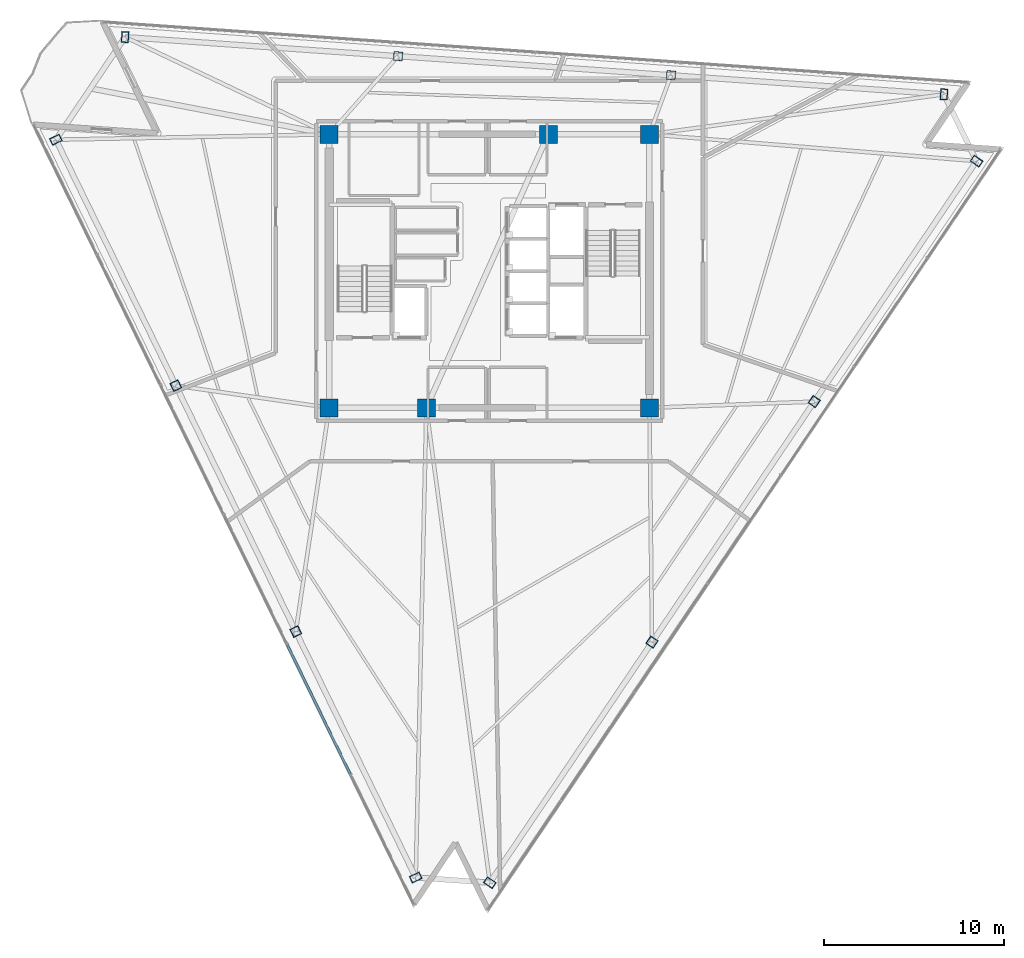
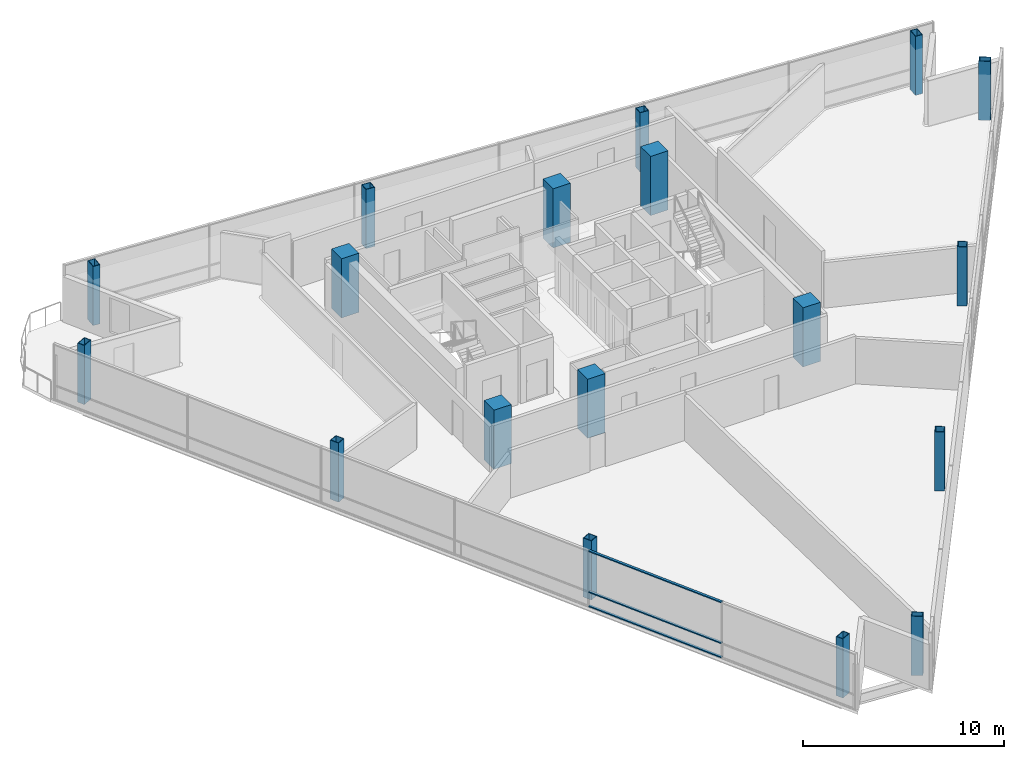
# One storey, part 1 of 14: 18 columns, 3 members, 1 element without a shape of its own.
"""IFC4 building model written with IfcOpenShell, lengths in metres."""

from ifc_helpers import new_model, si_unit, direction, frame, origin, origin_2d, place, context, subcontext, project, spatial, rectangle, hollow_rectangle, extrude, material, layer, layer_set, material_profile, profile_set, type_object, element, aggregate, save


model = new_model("IFC4")

# Units and contexts
model_context = context("Model", 3, precision=1e-05, world=origin(), true_north=direction((0.0, 1.0)))
body_context = subcontext(model_context, "Body", "Model", "MODEL_VIEW")
ifc_project = project(units=[si_unit("LENGTHUNIT", "METRE"), si_unit("AREAUNIT", "SQUARE_METRE"), si_unit("VOLUMEUNIT", "CUBIC_METRE"), si_unit("PLANEANGLEUNIT", "RADIAN"), si_unit("MASSUNIT", "GRAM", prefix="KILO")], contexts=[model_context])

# Site, building, storey
site_placement = place(None, origin())
site = spatial("IfcSite", under=ifc_project, at=site_placement, CompositionType="ELEMENT")
building_placement = place(site_placement, origin())
building = spatial("IfcBuilding", under=site, at=building_placement, Name="Tharavind Bronze Gate", CompositionType="ELEMENT")
storey_placement = place(building_placement, frame((0.0, 0.0, 241.449951171875)))
storey = spatial("IfcBuildingStorey", under=building, at=storey_placement, Name="L62", CompositionType="ELEMENT", Elevation=241.449951171875)

# Columns
ifc_material_1 = material(Name="Steel S460", Category="steel")
ifc_material_profile_1 = material_profile(ifc_material_1, hollow_rectangle(XDim=0.39990234375, YDim=0.60009765625, WallThickness=0.030029296875, at=origin_2d()), Name="RHS600X400X30")
ifc_profile_set_1 = profile_set([ifc_material_profile_1], Name="Steel S460")
column_type_1 = type_object("IfcColumnType", Name="CORNER NOTCH COLUMN RHS600X400", PredefinedType="COLUMN", material=ifc_profile_set_1)
for number, where, z_axis, x_axis, name in (
    (1, (-24.093505859375, 7.302001953125, 0.0), (0.0, 0.0, 1.0), (-0.438371146789, 0.898794046299, 0.0), "L62 perimeter column S1C1"),
    (2, (-4.090576171875, -33.710205078125, 0.0), (0.0, 0.0, 1.0), (-0.438371146789, 0.898794046299, 0.0), "L62 perimeter column S1C4"),
    (3, (0.02734375, -33.998046875, 0.0), (0.0, 0.0, 1.0), (0.559194350413, 0.829036596578, 0.0), "L62 perimeter column S2C1"),
    (4, (27.082275390625, 6.112548828125, 0.0), (0.0, 0.0, 1.0), (0.559194350413, 0.829036596578, 0.0), "L62 perimeter column S2C4"),
    (5, (25.272705078125, 9.82275390625, 0.0), (0.0, 0.0, 1.0), (-0.99756405026, 0.069756473744, 0.0), "L62 perimeter column S3C1"),
    (6, (-20.246337890625, 13.005615234375, 0.0), (0.0, 0.0, 1.0), (-0.99756405026, 0.069756473744, 0.0), "L62 perimeter column S3C4"),
):
    element("IfcColumn", number, at=place(storey_placement, frame(where, z_axis=z_axis, x_axis=x_axis)), inside=storey, type_object=column_type_1, Name=name, PredefinedType="COLUMN", context=body_context, shape_type="SweptSolid", body=[
        extrude(hollow_rectangle(XDim=0.39990234375, YDim=0.60009765625, WallThickness=0.030029296875, at=origin_2d()), origin(), (0.0, 0.0, 1.0), 3.60009765625),
    ])
ifc_material_2 = material(Name="Concrete C50/60", Category="concrete")
ifc_material_profile_2 = material_profile(ifc_material_2, rectangle(XDim=1.0, YDim=1.0, at=origin_2d()), Name="RCCOL1000")
ifc_profile_set_2 = profile_set([ifc_material_profile_2], Name="Concrete C50/60")
column_type_2 = type_object("IfcColumnType", Name="MEGA CORE COLUMN 1000", PredefinedType="COLUMN", material=ifc_profile_set_2)
for number, where, z_axis, x_axis, name in (
    (7, (-8.89990234375, -7.60009765625, 0.0), (0.0, 0.0, 1.0), (1.0, 0.0, 0.0), "L62 core mega column MC1"),
    (8, (-3.5, -7.60009765625, 0.0), (0.0, 0.0, 1.0), (1.0, 0.0, 0.0), "L62 core mega column MC2"),
    (9, (8.89990234375, -7.60009765625, 0.0), (0.0, 0.0, 1.0), (1.0, 0.0, 0.0), "L62 core mega column MC3"),
    (10, (8.89990234375, 7.60009765625, 0.0), (0.0, 0.0, 1.0), (1.0, 0.0, 0.0), "L62 core mega column MC4"),
    (11, (3.280029296875, 7.60009765625, 0.0), (0.0, 0.0, 1.0), (1.0, 0.0, 0.0), "L62 core mega column MC5"),
    (12, (-8.89990234375, 7.60009765625, 0.0), (0.0, 0.0, 1.0), (1.0, 0.0, 0.0), "L62 core mega column MC6"),
):
    element("IfcColumn", number, at=place(storey_placement, frame(where, z_axis=z_axis, x_axis=x_axis)), inside=storey, type_object=column_type_2, Name=name, PredefinedType="COLUMN", context=body_context, shape_type="SweptSolid", body=[
        extrude(rectangle(XDim=1.0, YDim=1.0, at=origin_2d()), origin(), (0.0, 0.0, 1.0), 3.60009765625),
    ])
ifc_material_profile_3 = material_profile(ifc_material_1, hollow_rectangle(XDim=0.5, YDim=0.5, WallThickness=0.031982421875, at=origin_2d()), Name="SHS500X32")
ifc_profile_set_3 = profile_set([ifc_material_profile_3], Name="Steel S460")
column_type_3 = type_object("IfcColumnType", Name="PERIMETER BOX COLUMN SHS500", PredefinedType="COLUMN", material=ifc_profile_set_3)
for number, where, z_axis, x_axis, name in (
    (13, (-17.42578125, -6.368896484375, 0.0), (0.0, 0.0, 1.0), (-0.438371146789, 0.898794046299, 0.0), "L62 perimeter column S1C2"),
    (14, (-10.75830078125, -20.039306640625, 0.0), (0.0, 0.0, 1.0), (-0.438371146789, 0.898794046299, 0.0), "L62 perimeter column S1C3"),
    (15, (9.045654296875, -20.627685546875, 0.0), (0.0, 0.0, 1.0), (0.559194350413, 0.829036596578, 0.0), "L62 perimeter column S2C2"),
    (16, (18.06396484375, -7.2578125, 0.0), (0.0, 0.0, 1.0), (0.559194350413, 0.829036596578, 0.0), "L62 perimeter column S2C3"),
    (17, (10.099609375, 10.8837890625, 0.0), (0.0, 0.0, 1.0), (-0.99756405026, 0.069756473744, 0.0), "L62 perimeter column S3C2"),
    (18, (-5.0732421875, 11.944580078125, 0.0), (0.0, 0.0, 1.0), (-0.99756405026, 0.069756473744, 0.0), "L62 perimeter column S3C3"),
):
    element("IfcColumn", number, at=place(storey_placement, frame(where, z_axis=z_axis, x_axis=x_axis)), inside=storey, type_object=column_type_3, Name=name, PredefinedType="COLUMN", context=body_context, shape_type="SweptSolid", body=[
        extrude(hollow_rectangle(XDim=0.5, YDim=0.5, WallThickness=0.031982421875, at=origin_2d()), origin(), (0.0, 0.0, 1.0), 3.60009765625),
    ])

# Curtain wall, members
ifc_material_3 = material(Name="Anodised Bronze Aluminium", Category="aluminium")
ifc_layer = layer(ifc_material_3, 0.219970703125)
ifc_layer_set = layer_set([ifc_layer], Name="Anodised Bronze Aluminium")
curtain_wall_type = type_object("IfcCurtainWallType", Name="UNITISED CURTAIN WALL UPPER OFFICE", PredefinedType="USERDEFINED", material=ifc_layer_set)
curtain_wall_placement = place(storey_placement, origin())
curtain_wall = element("IfcCurtainWall", 19, at=curtain_wall_placement, inside=storey, type_object=curtain_wall_type, Name="L62 unitised curtain wall upper office CW-L62-S1", ObjectType="UNITISED CURTAIN WALL", PredefinedType="USERDEFINED")
member_type = type_object("IfcMemberType", Name="CURTAIN WALL BRONZE TRANSOM 65X140", PredefinedType="USERDEFINED", material=ifc_material_3)
member_1_placement = place(storey_placement, frame((-9.480712890625, -24.36962890625, 0.0), z_axis=(0.0, 0.0, 1.0), x_axis=(0.438371146789, -0.898794046299, 0.0)))
member_1 = element("IfcMember", 20, at=member_1_placement, type_object=member_type, Name="CW-L62-S1 transom TB5", ObjectType="TRANSOM", PredefinedType="USERDEFINED", context=body_context, shape_type="SweptSolid", body=[
    extrude(rectangle(XDim=7.985107421875, YDim=0.139892578125, at=origin_2d()), origin(), (0.0, 0.0, 1.0), 0.06494140625),
])
member_2_placement = place(storey_placement, frame((-9.480712890625, -24.36962890625, 0.86767578125), z_axis=(0.0, 0.0, 1.0), x_axis=(0.438371146789, -0.898794046299, 0.0)))
member_2 = element("IfcMember", 21, at=member_2_placement, type_object=member_type, Name="CW-L62-S1 transom TS5", ObjectType="TRANSOM", PredefinedType="USERDEFINED", context=body_context, shape_type="SweptSolid", body=[
    extrude(rectangle(XDim=7.985107421875, YDim=0.139892578125, at=origin_2d()), origin(), (0.0, 0.0, 1.0), 0.06494140625),
])
member_3_placement = place(storey_placement, frame((-9.480712890625, -24.36962890625, 3.35498046875), z_axis=(0.0, 0.0, 1.0), x_axis=(0.438371146789, -0.898794046299, 0.0)))
member_3 = element("IfcMember", 22, at=member_3_placement, type_object=member_type, Name="CW-L62-S1 transom TT5", ObjectType="TRANSOM", PredefinedType="USERDEFINED", context=body_context, shape_type="SweptSolid", body=[
    extrude(rectangle(XDim=7.985107421875, YDim=0.139892578125, at=origin_2d()), origin(), (0.0, 0.0, 1.0), 0.06494140625),
])
aggregate(curtain_wall, [member_1, member_2, member_3])

save(model, "model.ifc")
